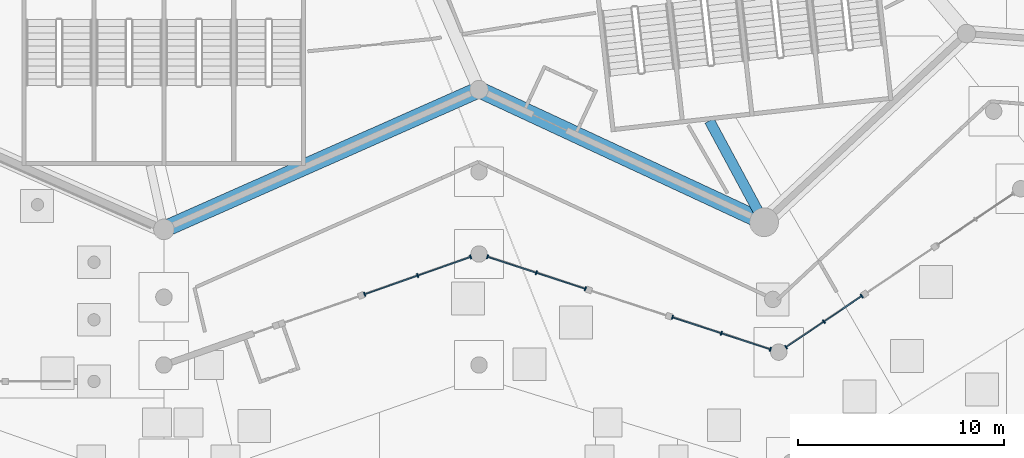
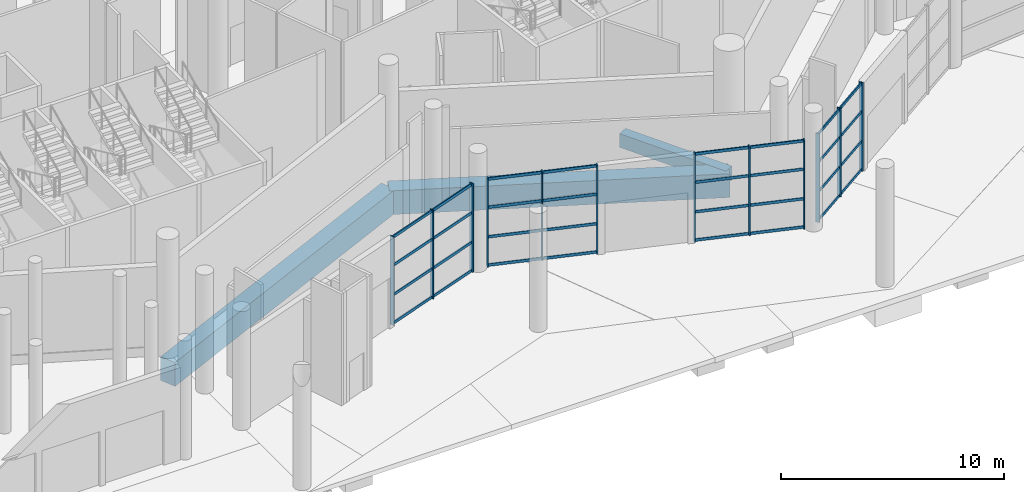
# One storey, part 30 of 255: 44 members, 3 beams, 4 elements without a shape of their own.
"""IFC4 building model written with IfcOpenShell, lengths in metres."""

from ifc_helpers import new_model, si_unit, direction, frame, origin, origin_2d, place, context, subcontext, project, spatial, rectangle, extrude, material, layer, layer_set, material_profile, profile_set, type_object, element, aggregate, save


model = new_model("IFC4")

# Units and contexts
model_context = context("Model", 3, precision=1e-05, world=origin(), true_north=direction((0.0, 1.0)))
body_context = subcontext(model_context, "Body", "Model", "MODEL_VIEW")
ifc_project = project(units=[si_unit("LENGTHUNIT", "METRE"), si_unit("AREAUNIT", "SQUARE_METRE"), si_unit("VOLUMEUNIT", "CUBIC_METRE"), si_unit("PLANEANGLEUNIT", "RADIAN"), si_unit("MASSUNIT", "GRAM", prefix="KILO")], contexts=[model_context])

# Site, building, storey
site_placement = place(None, origin())
site = spatial("IfcSite", under=ifc_project, at=site_placement, CompositionType="ELEMENT")
building_placement = place(site_placement, origin())
building = spatial("IfcBuilding", under=site, at=building_placement, Name="Meseta Stadium", CompositionType="ELEMENT")
storey_placement = place(building_placement, origin())
storey = spatial("IfcBuildingStorey", under=building, at=storey_placement, Name="L00", CompositionType="ELEMENT", Elevation=0.0)

# Beams
ifc_material_1 = material(Name="Concrete C40/50", Category="concrete")
ifc_material_profile_1 = material_profile(ifc_material_1, rectangle(XDim=0.5, YDim=0.75, at=origin_2d()), Name="RC 500x750")
ifc_profile_set_1 = profile_set([ifc_material_profile_1], Name="Concrete C40/50")
beam_type_1 = type_object("IfcBeamType", Name="RC beam 500x750", PredefinedType="BEAM", material=ifc_profile_set_1)
beam_1_placement = place(storey_placement, frame((49.54541015625, -100.1181640625, -0.77490234375), z_axis=(0.474227121741, -0.880402542594, 0.0), x_axis=(0.880402542594, 0.474227121741, 0.0)))
element("IfcBeam", 1, at=beam_1_placement, inside=storey, type_object=beam_type_1, Name="L00 radial beam frame 50 line P to R", PredefinedType="BEAM", context=body_context, shape_type="SweptSolid", body=[
    extrude(rectangle(XDim=0.5, YDim=0.75, at=origin_2d()), origin(), (0.0, 0.0, 1.0), 5.603759765625),
])
ifc_material_2 = material(Name="Concrete C40/50", Category="concrete")
ifc_material_profile_2 = material_profile(ifc_material_2, rectangle(XDim=0.800048828125, YDim=1.300048828125, at=origin_2d()), Name="RC 800x1300")
ifc_profile_set_2 = profile_set([ifc_material_profile_2], Name="Concrete C40/50")
beam_type_2 = type_object("IfcBeamType", Name="RC beam 800x1300", PredefinedType="BEAM", material=ifc_profile_set_2)
beam_2_placement = place(storey_placement, frame((23.0, -105.39990234375, -1.050048828125), z_axis=(0.914142564088, 0.405392861953, 0.0), x_axis=(-0.405392861953, 0.914142564088, 0.0)))
element("IfcBeam", 2, at=beam_2_placement, inside=storey, type_object=beam_type_2, Name="L00 ring beam frame 48 line R", PredefinedType="BEAM", context=body_context, shape_type="SweptSolid", body=[
    extrude(rectangle(XDim=0.800048828125, YDim=1.300048828125, at=origin_2d()), origin(), (0.0, 0.0, 1.0), 16.7734375),
])
beam_3_placement = place(storey_placement, frame((38.333251953125, -98.60009765625, -1.050048828125), z_axis=(0.906704363154, -0.421766757625, 0.0), x_axis=(0.421766757625, 0.906704363154, 0.0)))
element("IfcBeam", 3, at=beam_3_placement, inside=storey, type_object=beam_type_2, Name="L00 ring beam frame 49 line R", PredefinedType="BEAM", context=body_context, shape_type="SweptSolid", body=[
    extrude(rectangle(XDim=0.800048828125, YDim=1.300048828125, at=origin_2d()), origin(), (0.0, 0.0, 1.0), 15.296630859375),
])

# Curtain wall, members
ifc_material_3 = material(Name="Aluminium", Category="aluminium")
ifc_layer = layer(ifc_material_3, 0.199951171875)
ifc_layer_set = layer_set([ifc_layer], Name="Ring shopfront curtain wall")
curtain_wall_type = type_object("IfcCurtainWallType", Name="Ring shopfront curtain wall", PredefinedType="NOTDEFINED", material=ifc_layer_set)
curtain_wall_1_placement = place(storey_placement, origin())
curtain_wall_1 = element("IfcCurtainWall", 4, at=curtain_wall_1_placement, inside=storey, type_object=curtain_wall_type, Name="Shopfront glazing F48b", PredefinedType="NOTDEFINED")
ifc_material_4 = material(Name="Aluminium", Category="aluminium")
ifc_material_profile_3 = material_profile(ifc_material_4, rectangle(XDim=0.199951171875, YDim=0.06005859375, at=origin_2d()), Name="CW 200x60")
ifc_profile_set_3 = profile_set([ifc_material_profile_3], Name="Aluminium")
member_type_1 = type_object("IfcMemberType", Name="Ring CW mullion 60x200", PredefinedType="MULLION", material=ifc_profile_set_3)
member_1_placement = place(storey_placement, frame((32.77001953125, -108.559326171875, 0.0), z_axis=(0.0, 0.0, 1.0), x_axis=(-0.332170000181, 0.94321953488, 0.0)))
member_1 = element("IfcMember", 5, at=member_1_placement, type_object=member_type_1, Name="CWR1 mullion 1", PredefinedType="MULLION", context=body_context, shape_type="SweptSolid", body=[
    extrude(rectangle(XDim=0.199951171875, YDim=0.06005859375, at=origin_2d()), origin(), (0.0, 0.0, 1.0), 4.85009765625),
])
member_2_placement = place(storey_placement, frame((35.348876953125, -107.651123046875, 0.0), z_axis=(0.0, 0.0, 1.0), x_axis=(-0.332170000181, 0.94321953488, 0.0)))
member_2 = element("IfcMember", 6, at=member_2_placement, type_object=member_type_1, Name="CWR1 mullion 2", PredefinedType="MULLION", context=body_context, shape_type="SweptSolid", body=[
    extrude(rectangle(XDim=0.199951171875, YDim=0.06005859375, at=origin_2d()), origin(), (0.0, 0.0, 1.0), 4.85009765625),
])
member_3_placement = place(storey_placement, frame((37.927734375, -106.742919921875, 0.0), z_axis=(0.0, 0.0, 1.0), x_axis=(-0.332170000181, 0.94321953488, 0.0)))
member_3 = element("IfcMember", 7, at=member_3_placement, type_object=member_type_1, Name="CWR1 mullion 3", PredefinedType="MULLION", context=body_context, shape_type="SweptSolid", body=[
    extrude(rectangle(XDim=0.199951171875, YDim=0.06005859375, at=origin_2d()), origin(), (0.0, 0.0, 1.0), 4.85009765625),
])

curtain_wall_2_placement = place(storey_placement, origin())
curtain_wall_2 = element("IfcCurtainWall", 8, at=curtain_wall_2_placement, inside=storey, type_object=curtain_wall_type, Name="Shopfront glazing F49a", PredefinedType="NOTDEFINED")
member_4_placement = place(storey_placement, frame((38.741943359375, -106.733642578125, 0.0), z_axis=(0.0, 0.0, 1.0), x_axis=(0.311058814141, 0.950390663961, 0.0)))
member_4 = element("IfcMember", 9, at=member_4_placement, type_object=member_type_1, Name="CWR1 mullion 1", PredefinedType="MULLION", context=body_context, shape_type="SweptSolid", body=[
    extrude(rectangle(XDim=0.199951171875, YDim=0.06005859375, at=origin_2d()), origin(), (0.0, 0.0, 1.0), 4.85009765625),
])
member_5_placement = place(storey_placement, frame((41.123291015625, -107.51318359375, 0.0), z_axis=(0.0, 0.0, 1.0), x_axis=(0.311058814141, 0.950390663961, 0.0)))
member_5 = element("IfcMember", 10, at=member_5_placement, type_object=member_type_1, Name="CWR1 mullion 2", PredefinedType="MULLION", context=body_context, shape_type="SweptSolid", body=[
    extrude(rectangle(XDim=0.199951171875, YDim=0.06005859375, at=origin_2d()), origin(), (0.0, 0.0, 1.0), 4.85009765625),
])
member_6_placement = place(storey_placement, frame((43.5048828125, -108.29248046875, 0.0), z_axis=(0.0, 0.0, 1.0), x_axis=(0.311058814141, 0.950390663961, 0.0)))
member_6 = element("IfcMember", 11, at=member_6_placement, type_object=member_type_1, Name="CWR1 mullion 3", PredefinedType="MULLION", context=body_context, shape_type="SweptSolid", body=[
    extrude(rectangle(XDim=0.199951171875, YDim=0.06005859375, at=origin_2d()), origin(), (0.0, 0.0, 1.0), 4.85009765625),
])

curtain_wall_3_placement = place(storey_placement, origin())
curtain_wall_3 = element("IfcCurtainWall", 12, at=curtain_wall_3_placement, inside=storey, type_object=curtain_wall_type, Name="Shopfront glazing F49b", PredefinedType="NOTDEFINED")
member_7_placement = place(storey_placement, frame((47.743408203125, -109.679931640625, 0.0), z_axis=(0.0, 0.0, 1.0), x_axis=(0.311041003416, 0.950396493151, 0.0)))
member_7 = element("IfcMember", 13, at=member_7_placement, type_object=member_type_1, Name="CWR1 mullion 1", PredefinedType="MULLION", context=body_context, shape_type="SweptSolid", body=[
    extrude(rectangle(XDim=0.199951171875, YDim=0.06005859375, at=origin_2d()), origin(), (0.0, 0.0, 1.0), 4.85009765625),
])
member_8_placement = place(storey_placement, frame((50.125, -110.459228515625, 0.0), z_axis=(0.0, 0.0, 1.0), x_axis=(0.311041003416, 0.950396493151, 0.0)))
member_8 = element("IfcMember", 14, at=member_8_placement, type_object=member_type_1, Name="CWR1 mullion 2", PredefinedType="MULLION", context=body_context, shape_type="SweptSolid", body=[
    extrude(rectangle(XDim=0.199951171875, YDim=0.06005859375, at=origin_2d()), origin(), (0.0, 0.0, 1.0), 4.85009765625),
])
member_9_placement = place(storey_placement, frame((52.50634765625, -111.238525390625, 0.0), z_axis=(0.0, 0.0, 1.0), x_axis=(0.311041003416, 0.950396493151, 0.0)))
member_9 = element("IfcMember", 15, at=member_9_placement, type_object=member_type_1, Name="CWR1 mullion 3", PredefinedType="MULLION", context=body_context, shape_type="SweptSolid", body=[
    extrude(rectangle(XDim=0.199951171875, YDim=0.06005859375, at=origin_2d()), origin(), (0.0, 0.0, 1.0), 4.85009765625),
])

curtain_wall_4_placement = place(storey_placement, origin())
curtain_wall_4 = element("IfcCurtainWall", 16, at=curtain_wall_4_placement, inside=storey, type_object=curtain_wall_type, Name="Shopfront glazing F50a", PredefinedType="NOTDEFINED")
member_10_placement = place(storey_placement, frame((53.271484375, -111.1318359375, 0.0), z_axis=(0.0, 0.0, 1.0), x_axis=(-0.559368389201, 0.828919178909, 0.0)))
member_10 = element("IfcMember", 17, at=member_10_placement, type_object=member_type_1, Name="CWR1 mullion 1", PredefinedType="MULLION", context=body_context, shape_type="SweptSolid", body=[
    extrude(rectangle(XDim=0.199951171875, YDim=0.06005859375, at=origin_2d()), origin(), (0.0, 0.0, 1.0), 4.85009765625),
])
member_11_placement = place(storey_placement, frame((55.11376953125, -109.888671875, 0.0), z_axis=(0.0, 0.0, 1.0), x_axis=(-0.559368389201, 0.828919178909, 0.0)))
member_11 = element("IfcMember", 18, at=member_11_placement, type_object=member_type_1, Name="CWR1 mullion 2", PredefinedType="MULLION", context=body_context, shape_type="SweptSolid", body=[
    extrude(rectangle(XDim=0.199951171875, YDim=0.06005859375, at=origin_2d()), origin(), (0.0, 0.0, 1.0), 4.85009765625),
])
member_12_placement = place(storey_placement, frame((56.955810546875, -108.6455078125, 0.0), z_axis=(0.0, 0.0, 1.0), x_axis=(-0.559368389201, 0.828919178909, 0.0)))
member_12 = element("IfcMember", 19, at=member_12_placement, type_object=member_type_1, Name="CWR1 mullion 3", PredefinedType="MULLION", context=body_context, shape_type="SweptSolid", body=[
    extrude(rectangle(XDim=0.199951171875, YDim=0.06005859375, at=origin_2d()), origin(), (0.0, 0.0, 1.0), 4.85009765625),
])

# Member
ifc_material_5 = material(Name="Aluminium", Category="aluminium")
ifc_material_profile_4 = material_profile(ifc_material_5, rectangle(XDim=0.06005859375, YDim=0.14990234375, at=origin_2d()), Name="CW 60x150")
ifc_profile_set_4 = profile_set([ifc_material_profile_4], Name="Aluminium")
member_type_2 = type_object("IfcMemberType", Name="Ring CW transom 60x150", PredefinedType="USERDEFINED", material=ifc_profile_set_4)
member_13_placement = place(storey_placement, frame((32.79833984375, -108.54931640625, 0.074951171875), z_axis=(0.943226073385, 0.332151433063, 0.0), x_axis=(-0.332151433063, 0.943226073385, 0.0)))
member_13 = element("IfcMember", 20, at=member_13_placement, type_object=member_type_2, Name="CWR1 transom 1.1", ObjectType="TRANSOM", PredefinedType="USERDEFINED", context=body_context, shape_type="SweptSolid", body=[
    extrude(rectangle(XDim=0.06005859375, YDim=0.14990234375, at=origin_2d()), origin(), (0.0, 0.0, 1.0), 2.674072265625),
])

member_14_placement = place(storey_placement, frame((32.79833984375, -108.54931640625, 1.61669921875), z_axis=(0.943226073385, 0.332151433063, 0.0), x_axis=(-0.332151433063, 0.943226073385, 0.0)))
member_14 = element("IfcMember", 21, at=member_14_placement, type_object=member_type_2, Name="CWR1 transom 1.2", ObjectType="TRANSOM", PredefinedType="USERDEFINED", context=body_context, shape_type="SweptSolid", body=[
    extrude(rectangle(XDim=0.06005859375, YDim=0.14990234375, at=origin_2d()), origin(), (0.0, 0.0, 1.0), 2.674072265625),
])

member_15_placement = place(storey_placement, frame((32.79833984375, -108.54931640625, 3.2333984375), z_axis=(0.943226073385, 0.332151433063, 0.0), x_axis=(-0.332151433063, 0.943226073385, 0.0)))
member_15 = element("IfcMember", 22, at=member_15_placement, type_object=member_type_2, Name="CWR1 transom 1.3", ObjectType="TRANSOM", PredefinedType="USERDEFINED", context=body_context, shape_type="SweptSolid", body=[
    extrude(rectangle(XDim=0.06005859375, YDim=0.14990234375, at=origin_2d()), origin(), (0.0, 0.0, 1.0), 2.674072265625),
])

member_16_placement = place(storey_placement, frame((32.79833984375, -108.54931640625, 4.77490234375), z_axis=(0.943226073385, 0.332151433063, 0.0), x_axis=(-0.332151433063, 0.943226073385, 0.0)))
member_16 = element("IfcMember", 23, at=member_16_placement, type_object=member_type_2, Name="CWR1 transom 1.4", ObjectType="TRANSOM", PredefinedType="USERDEFINED", context=body_context, shape_type="SweptSolid", body=[
    extrude(rectangle(XDim=0.06005859375, YDim=0.14990234375, at=origin_2d()), origin(), (0.0, 0.0, 1.0), 2.674072265625),
])

member_17_placement = place(storey_placement, frame((35.377197265625, -107.64111328125, 0.074951171875), z_axis=(0.943226073385, 0.332151433063, 0.0), x_axis=(-0.332151433063, 0.943226073385, 0.0)))
member_17 = element("IfcMember", 24, at=member_17_placement, type_object=member_type_2, Name="CWR1 transom 2.1", ObjectType="TRANSOM", PredefinedType="USERDEFINED", context=body_context, shape_type="SweptSolid", body=[
    extrude(rectangle(XDim=0.06005859375, YDim=0.14990234375, at=origin_2d()), origin(), (0.0, 0.0, 1.0), 2.674072265625),
])

member_18_placement = place(storey_placement, frame((35.377197265625, -107.64111328125, 1.61669921875), z_axis=(0.943226073385, 0.332151433063, 0.0), x_axis=(-0.332151433063, 0.943226073385, 0.0)))
member_18 = element("IfcMember", 25, at=member_18_placement, type_object=member_type_2, Name="CWR1 transom 2.2", ObjectType="TRANSOM", PredefinedType="USERDEFINED", context=body_context, shape_type="SweptSolid", body=[
    extrude(rectangle(XDim=0.06005859375, YDim=0.14990234375, at=origin_2d()), origin(), (0.0, 0.0, 1.0), 2.674072265625),
])

member_19_placement = place(storey_placement, frame((35.377197265625, -107.64111328125, 3.2333984375), z_axis=(0.943226073385, 0.332151433063, 0.0), x_axis=(-0.332151433063, 0.943226073385, 0.0)))
member_19 = element("IfcMember", 26, at=member_19_placement, type_object=member_type_2, Name="CWR1 transom 2.3", ObjectType="TRANSOM", PredefinedType="USERDEFINED", context=body_context, shape_type="SweptSolid", body=[
    extrude(rectangle(XDim=0.06005859375, YDim=0.14990234375, at=origin_2d()), origin(), (0.0, 0.0, 1.0), 2.674072265625),
])

member_20_placement = place(storey_placement, frame((35.377197265625, -107.64111328125, 4.77490234375), z_axis=(0.943226073385, 0.332151433063, 0.0), x_axis=(-0.332151433063, 0.943226073385, 0.0)))
member_20 = element("IfcMember", 27, at=member_20_placement, type_object=member_type_2, Name="CWR1 transom 2.4", ObjectType="TRANSOM", PredefinedType="USERDEFINED", context=body_context, shape_type="SweptSolid", body=[
    extrude(rectangle(XDim=0.06005859375, YDim=0.14990234375, at=origin_2d()), origin(), (0.0, 0.0, 1.0), 2.674072265625),
])

aggregate(curtain_wall_1, [member_1, member_2, member_3, member_13, member_14, member_15, member_16, member_17, member_18, member_19, member_20])

member_21_placement = place(storey_placement, frame((38.7705078125, -106.7431640625, 0.074951171875), z_axis=(0.950396056015, -0.311042339097, 0.0), x_axis=(0.311042339097, 0.950396056015, 0.0)))
member_21 = element("IfcMember", 28, at=member_21_placement, type_object=member_type_2, Name="CWR1 transom 1.1", ObjectType="TRANSOM", PredefinedType="USERDEFINED", context=body_context, shape_type="SweptSolid", body=[
    extrude(rectangle(XDim=0.06005859375, YDim=0.14990234375, at=origin_2d()), origin(), (0.0, 0.0, 1.0), 2.44580078125),
])

member_22_placement = place(storey_placement, frame((38.7705078125, -106.7431640625, 1.61669921875), z_axis=(0.950396056015, -0.311042339097, 0.0), x_axis=(0.311042339097, 0.950396056015, 0.0)))
member_22 = element("IfcMember", 29, at=member_22_placement, type_object=member_type_2, Name="CWR1 transom 1.2", ObjectType="TRANSOM", PredefinedType="USERDEFINED", context=body_context, shape_type="SweptSolid", body=[
    extrude(rectangle(XDim=0.06005859375, YDim=0.14990234375, at=origin_2d()), origin(), (0.0, 0.0, 1.0), 2.44580078125),
])

member_23_placement = place(storey_placement, frame((38.7705078125, -106.7431640625, 3.2333984375), z_axis=(0.950396056015, -0.311042339097, 0.0), x_axis=(0.311042339097, 0.950396056015, 0.0)))
member_23 = element("IfcMember", 30, at=member_23_placement, type_object=member_type_2, Name="CWR1 transom 1.3", ObjectType="TRANSOM", PredefinedType="USERDEFINED", context=body_context, shape_type="SweptSolid", body=[
    extrude(rectangle(XDim=0.06005859375, YDim=0.14990234375, at=origin_2d()), origin(), (0.0, 0.0, 1.0), 2.44580078125),
])

member_24_placement = place(storey_placement, frame((38.7705078125, -106.7431640625, 4.77490234375), z_axis=(0.950396056015, -0.311042339097, 0.0), x_axis=(0.311042339097, 0.950396056015, 0.0)))
member_24 = element("IfcMember", 31, at=member_24_placement, type_object=member_type_2, Name="CWR1 transom 1.4", ObjectType="TRANSOM", PredefinedType="USERDEFINED", context=body_context, shape_type="SweptSolid", body=[
    extrude(rectangle(XDim=0.06005859375, YDim=0.14990234375, at=origin_2d()), origin(), (0.0, 0.0, 1.0), 2.44580078125),
])

member_25_placement = place(storey_placement, frame((41.15185546875, -107.5224609375, 0.074951171875), z_axis=(0.950396056015, -0.311042339097, 0.0), x_axis=(0.311042339097, 0.950396056015, 0.0)))
member_25 = element("IfcMember", 32, at=member_25_placement, type_object=member_type_2, Name="CWR1 transom 2.1", ObjectType="TRANSOM", PredefinedType="USERDEFINED", context=body_context, shape_type="SweptSolid", body=[
    extrude(rectangle(XDim=0.06005859375, YDim=0.14990234375, at=origin_2d()), origin(), (0.0, 0.0, 1.0), 2.44580078125),
])

member_26_placement = place(storey_placement, frame((41.15185546875, -107.5224609375, 1.61669921875), z_axis=(0.950396056015, -0.311042339097, 0.0), x_axis=(0.311042339097, 0.950396056015, 0.0)))
member_26 = element("IfcMember", 33, at=member_26_placement, type_object=member_type_2, Name="CWR1 transom 2.2", ObjectType="TRANSOM", PredefinedType="USERDEFINED", context=body_context, shape_type="SweptSolid", body=[
    extrude(rectangle(XDim=0.06005859375, YDim=0.14990234375, at=origin_2d()), origin(), (0.0, 0.0, 1.0), 2.44580078125),
])

member_27_placement = place(storey_placement, frame((41.15185546875, -107.5224609375, 3.2333984375), z_axis=(0.950396056015, -0.311042339097, 0.0), x_axis=(0.311042339097, 0.950396056015, 0.0)))
member_27 = element("IfcMember", 34, at=member_27_placement, type_object=member_type_2, Name="CWR1 transom 2.3", ObjectType="TRANSOM", PredefinedType="USERDEFINED", context=body_context, shape_type="SweptSolid", body=[
    extrude(rectangle(XDim=0.06005859375, YDim=0.14990234375, at=origin_2d()), origin(), (0.0, 0.0, 1.0), 2.44580078125),
])

member_28_placement = place(storey_placement, frame((41.15185546875, -107.5224609375, 4.77490234375), z_axis=(0.950396056015, -0.311042339097, 0.0), x_axis=(0.311042339097, 0.950396056015, 0.0)))
member_28 = element("IfcMember", 35, at=member_28_placement, type_object=member_type_2, Name="CWR1 transom 2.4", ObjectType="TRANSOM", PredefinedType="USERDEFINED", context=body_context, shape_type="SweptSolid", body=[
    extrude(rectangle(XDim=0.06005859375, YDim=0.14990234375, at=origin_2d()), origin(), (0.0, 0.0, 1.0), 2.44580078125),
])

aggregate(curtain_wall_2, [member_4, member_5, member_6, member_21, member_22, member_23, member_24, member_25, member_26, member_27, member_28])

member_29_placement = place(storey_placement, frame((47.77197265625, -109.689208984375, 0.074951171875), z_axis=(0.950396056015, -0.311042339097, 0.0), x_axis=(0.311042339097, 0.950396056015, 0.0)))
member_29 = element("IfcMember", 36, at=member_29_placement, type_object=member_type_2, Name="CWR1 transom 1.1", ObjectType="TRANSOM", PredefinedType="USERDEFINED", context=body_context, shape_type="SweptSolid", body=[
    extrude(rectangle(XDim=0.06005859375, YDim=0.14990234375, at=origin_2d()), origin(), (0.0, 0.0, 1.0), 2.44580078125),
])

member_30_placement = place(storey_placement, frame((47.77197265625, -109.689208984375, 1.61669921875), z_axis=(0.950396056015, -0.311042339097, 0.0), x_axis=(0.311042339097, 0.950396056015, 0.0)))
member_30 = element("IfcMember", 37, at=member_30_placement, type_object=member_type_2, Name="CWR1 transom 1.2", ObjectType="TRANSOM", PredefinedType="USERDEFINED", context=body_context, shape_type="SweptSolid", body=[
    extrude(rectangle(XDim=0.06005859375, YDim=0.14990234375, at=origin_2d()), origin(), (0.0, 0.0, 1.0), 2.44580078125),
])

member_31_placement = place(storey_placement, frame((47.77197265625, -109.689208984375, 3.2333984375), z_axis=(0.950396056015, -0.311042339097, 0.0), x_axis=(0.311042339097, 0.950396056015, 0.0)))
member_31 = element("IfcMember", 38, at=member_31_placement, type_object=member_type_2, Name="CWR1 transom 1.3", ObjectType="TRANSOM", PredefinedType="USERDEFINED", context=body_context, shape_type="SweptSolid", body=[
    extrude(rectangle(XDim=0.06005859375, YDim=0.14990234375, at=origin_2d()), origin(), (0.0, 0.0, 1.0), 2.44580078125),
])

member_32_placement = place(storey_placement, frame((47.77197265625, -109.689208984375, 4.77490234375), z_axis=(0.950396056015, -0.311042339097, 0.0), x_axis=(0.311042339097, 0.950396056015, 0.0)))
member_32 = element("IfcMember", 39, at=member_32_placement, type_object=member_type_2, Name="CWR1 transom 1.4", ObjectType="TRANSOM", PredefinedType="USERDEFINED", context=body_context, shape_type="SweptSolid", body=[
    extrude(rectangle(XDim=0.06005859375, YDim=0.14990234375, at=origin_2d()), origin(), (0.0, 0.0, 1.0), 2.44580078125),
])

member_33_placement = place(storey_placement, frame((50.1533203125, -110.468505859375, 0.074951171875), z_axis=(0.950396056015, -0.311042339097, 0.0), x_axis=(0.311042339097, 0.950396056015, 0.0)))
member_33 = element("IfcMember", 40, at=member_33_placement, type_object=member_type_2, Name="CWR1 transom 2.1", ObjectType="TRANSOM", PredefinedType="USERDEFINED", context=body_context, shape_type="SweptSolid", body=[
    extrude(rectangle(XDim=0.06005859375, YDim=0.14990234375, at=origin_2d()), origin(), (0.0, 0.0, 1.0), 2.44580078125),
])

member_34_placement = place(storey_placement, frame((50.1533203125, -110.468505859375, 1.61669921875), z_axis=(0.950396056015, -0.311042339097, 0.0), x_axis=(0.311042339097, 0.950396056015, 0.0)))
member_34 = element("IfcMember", 41, at=member_34_placement, type_object=member_type_2, Name="CWR1 transom 2.2", ObjectType="TRANSOM", PredefinedType="USERDEFINED", context=body_context, shape_type="SweptSolid", body=[
    extrude(rectangle(XDim=0.06005859375, YDim=0.14990234375, at=origin_2d()), origin(), (0.0, 0.0, 1.0), 2.44580078125),
])

member_35_placement = place(storey_placement, frame((50.1533203125, -110.468505859375, 3.2333984375), z_axis=(0.950396056015, -0.311042339097, 0.0), x_axis=(0.311042339097, 0.950396056015, 0.0)))
member_35 = element("IfcMember", 42, at=member_35_placement, type_object=member_type_2, Name="CWR1 transom 2.3", ObjectType="TRANSOM", PredefinedType="USERDEFINED", context=body_context, shape_type="SweptSolid", body=[
    extrude(rectangle(XDim=0.06005859375, YDim=0.14990234375, at=origin_2d()), origin(), (0.0, 0.0, 1.0), 2.44580078125),
])

member_36_placement = place(storey_placement, frame((50.1533203125, -110.468505859375, 4.77490234375), z_axis=(0.950396056015, -0.311042339097, 0.0), x_axis=(0.311042339097, 0.950396056015, 0.0)))
member_36 = element("IfcMember", 43, at=member_36_placement, type_object=member_type_2, Name="CWR1 transom 2.4", ObjectType="TRANSOM", PredefinedType="USERDEFINED", context=body_context, shape_type="SweptSolid", body=[
    extrude(rectangle(XDim=0.06005859375, YDim=0.14990234375, at=origin_2d()), origin(), (0.0, 0.0, 1.0), 2.44580078125),
])

aggregate(curtain_wall_3, [member_7, member_8, member_9, member_29, member_30, member_31, member_32, member_33, member_34, member_35, member_36])

member_37_placement = place(storey_placement, frame((53.29638671875, -111.114990234375, 0.074951171875), z_axis=(0.828945520124, 0.559329352587, 0.0), x_axis=(-0.559329352587, 0.828945520124, 0.0)))
member_37 = element("IfcMember", 44, at=member_37_placement, type_object=member_type_2, Name="CWR1 transom 1.1", ObjectType="TRANSOM", PredefinedType="USERDEFINED", context=body_context, shape_type="SweptSolid", body=[
    extrude(rectangle(XDim=0.06005859375, YDim=0.14990234375, at=origin_2d()), origin(), (0.0, 0.0, 1.0), 2.162353515625),
])

member_38_placement = place(storey_placement, frame((53.29638671875, -111.114990234375, 1.61669921875), z_axis=(0.828945520124, 0.559329352587, 0.0), x_axis=(-0.559329352587, 0.828945520124, 0.0)))
member_38 = element("IfcMember", 45, at=member_38_placement, type_object=member_type_2, Name="CWR1 transom 1.2", ObjectType="TRANSOM", PredefinedType="USERDEFINED", context=body_context, shape_type="SweptSolid", body=[
    extrude(rectangle(XDim=0.06005859375, YDim=0.14990234375, at=origin_2d()), origin(), (0.0, 0.0, 1.0), 2.162353515625),
])

member_39_placement = place(storey_placement, frame((53.29638671875, -111.114990234375, 3.2333984375), z_axis=(0.828945520124, 0.559329352587, 0.0), x_axis=(-0.559329352587, 0.828945520124, 0.0)))
member_39 = element("IfcMember", 46, at=member_39_placement, type_object=member_type_2, Name="CWR1 transom 1.3", ObjectType="TRANSOM", PredefinedType="USERDEFINED", context=body_context, shape_type="SweptSolid", body=[
    extrude(rectangle(XDim=0.06005859375, YDim=0.14990234375, at=origin_2d()), origin(), (0.0, 0.0, 1.0), 2.162353515625),
])

member_40_placement = place(storey_placement, frame((53.29638671875, -111.114990234375, 4.77490234375), z_axis=(0.828945520124, 0.559329352587, 0.0), x_axis=(-0.559329352587, 0.828945520124, 0.0)))
member_40 = element("IfcMember", 47, at=member_40_placement, type_object=member_type_2, Name="CWR1 transom 1.4", ObjectType="TRANSOM", PredefinedType="USERDEFINED", context=body_context, shape_type="SweptSolid", body=[
    extrude(rectangle(XDim=0.06005859375, YDim=0.14990234375, at=origin_2d()), origin(), (0.0, 0.0, 1.0), 2.162353515625),
])

member_41_placement = place(storey_placement, frame((55.138671875, -109.871826171875, 0.074951171875), z_axis=(0.828945520124, 0.559329352587, 0.0), x_axis=(-0.559329352587, 0.828945520124, 0.0)))
member_41 = element("IfcMember", 48, at=member_41_placement, type_object=member_type_2, Name="CWR1 transom 2.1", ObjectType="TRANSOM", PredefinedType="USERDEFINED", context=body_context, shape_type="SweptSolid", body=[
    extrude(rectangle(XDim=0.06005859375, YDim=0.14990234375, at=origin_2d()), origin(), (0.0, 0.0, 1.0), 2.162353515625),
])

member_42_placement = place(storey_placement, frame((55.138671875, -109.871826171875, 1.61669921875), z_axis=(0.828945520124, 0.559329352587, 0.0), x_axis=(-0.559329352587, 0.828945520124, 0.0)))
member_42 = element("IfcMember", 49, at=member_42_placement, type_object=member_type_2, Name="CWR1 transom 2.2", ObjectType="TRANSOM", PredefinedType="USERDEFINED", context=body_context, shape_type="SweptSolid", body=[
    extrude(rectangle(XDim=0.06005859375, YDim=0.14990234375, at=origin_2d()), origin(), (0.0, 0.0, 1.0), 2.162353515625),
])

member_43_placement = place(storey_placement, frame((55.138671875, -109.871826171875, 3.2333984375), z_axis=(0.828945520124, 0.559329352587, 0.0), x_axis=(-0.559329352587, 0.828945520124, 0.0)))
member_43 = element("IfcMember", 50, at=member_43_placement, type_object=member_type_2, Name="CWR1 transom 2.3", ObjectType="TRANSOM", PredefinedType="USERDEFINED", context=body_context, shape_type="SweptSolid", body=[
    extrude(rectangle(XDim=0.06005859375, YDim=0.14990234375, at=origin_2d()), origin(), (0.0, 0.0, 1.0), 2.162353515625),
])

member_44_placement = place(storey_placement, frame((55.138671875, -109.871826171875, 4.77490234375), z_axis=(0.828945520124, 0.559329352587, 0.0), x_axis=(-0.559329352587, 0.828945520124, 0.0)))
member_44 = element("IfcMember", 51, at=member_44_placement, type_object=member_type_2, Name="CWR1 transom 2.4", ObjectType="TRANSOM", PredefinedType="USERDEFINED", context=body_context, shape_type="SweptSolid", body=[
    extrude(rectangle(XDim=0.06005859375, YDim=0.14990234375, at=origin_2d()), origin(), (0.0, 0.0, 1.0), 2.162353515625),
])

aggregate(curtain_wall_4, [member_10, member_11, member_12, member_37, member_38, member_39, member_40, member_41, member_42, member_43, member_44])

save(model, "model.ifc")
